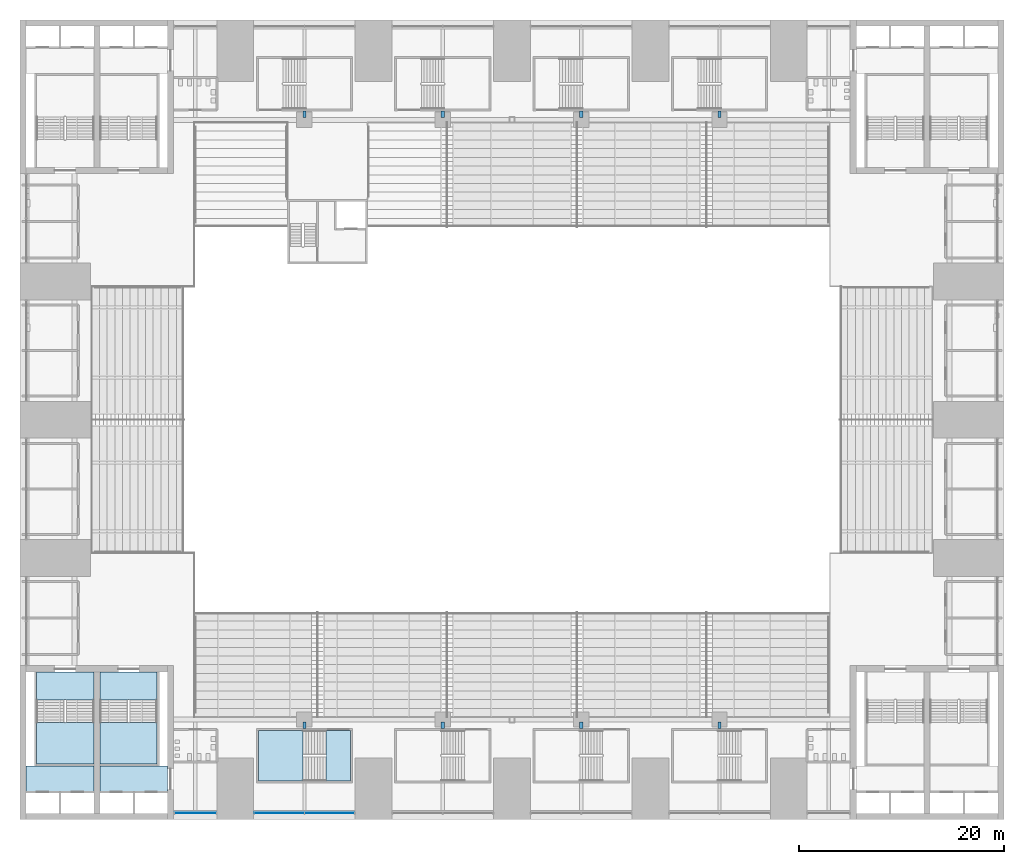
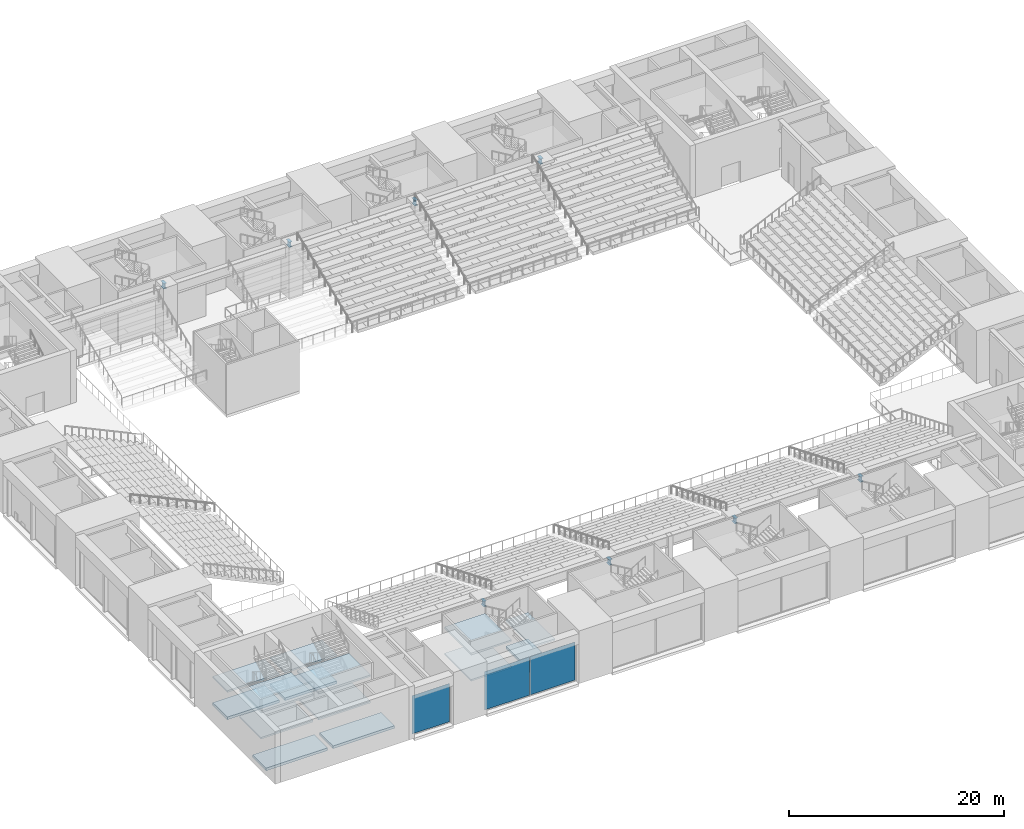
# One storey, part 12 of 61: 14 slabs, 8 beams, 3 plates, 5 elements without a shape of their own.
"""IFC4 building model written with IfcOpenShell, lengths in metres."""

from ifc_helpers import new_model, si_unit, direction, frame, origin, origin_2d, place, context, subcontext, project, spatial, polyline, rectangle, i_section, outline, extrude, material, layer, layer_set, material_profile, profile_set, type_object, element, aggregate, save


model = new_model("IFC4")

# Units and contexts
model_context = context("Model", 3, precision=1e-05, world=origin(), true_north=direction((0.0, 1.0)))
body_context = subcontext(model_context, "Body", "Model", "MODEL_VIEW")
ifc_project = project(units=[si_unit("LENGTHUNIT", "METRE"), si_unit("AREAUNIT", "SQUARE_METRE"), si_unit("VOLUMEUNIT", "CUBIC_METRE"), si_unit("PLANEANGLEUNIT", "RADIAN"), si_unit("MASSUNIT", "GRAM", prefix="KILO")], contexts=[model_context])

# Site, building, storey
site_placement = place(None, origin())
site = spatial("IfcSite", under=ifc_project, at=site_placement, CompositionType="ELEMENT")
building_placement = place(site_placement, origin())
building = spatial("IfcBuilding", under=site, at=building_placement, Name="Corbelhall Arena Tower", CompositionType="ELEMENT")
storey_placement = place(building_placement, frame((0.0, 0.0, 31.0)))
storey = spatial("IfcBuildingStorey", under=building, at=storey_placement, Name="L04", CompositionType="ELEMENT", Elevation=31.0)

# Beams
ifc_material_1 = material(Name="Steel ASTM A992 Gr50", Category="steel")
ifc_material_profile = material_profile(ifc_material_1, i_section(OverallWidth=0.323974609375, OverallDepth=0.611083984375, WebThickness=0.0126953125, FlangeThickness=0.01904296875, at=origin_2d()))
ifc_profile_set = profile_set([ifc_material_profile], Name="Steel ASTM A992 Gr50")
beam_type = type_object("IfcBeamType", Name="PO-BEAM-W24X104", PredefinedType="BEAM", material=ifc_profile_set)
for number, where, z_axis, x_axis, name in (
    (1, (-20.25, 29.5, 5.39453125), (0.0, 1.0, 0.0), (-1.0, 0.0, 0.0), "CONCOURSE BEAM"),
    (2, (-6.75, 29.5, 5.39453125), (0.0, 1.0, 0.0), (-1.0, 0.0, 0.0), "CONCOURSE BEAM"),
    (3, (6.75, 29.5, 5.39453125), (0.0, 1.0, 0.0), (-1.0, 0.0, 0.0), "CONCOURSE BEAM"),
    (4, (20.25, 29.5, 5.39453125), (0.0, 1.0, 0.0), (-1.0, 0.0, 0.0), "CONCOURSE BEAM"),
    (5, (-20.25, -29.5, 5.39453125), (0.0, -1.0, 0.0), (1.0, 0.0, 0.0), "CONCOURSE BEAM"),
    (6, (-6.75, -29.5, 5.39453125), (0.0, -1.0, 0.0), (1.0, 0.0, 0.0), "CONCOURSE BEAM"),
    (7, (6.75, -29.5, 5.39453125), (0.0, -1.0, 0.0), (1.0, 0.0, 0.0), "CONCOURSE BEAM"),
    (8, (20.25, -29.5, 5.39453125), (0.0, -1.0, 0.0), (1.0, 0.0, 0.0), "CONCOURSE BEAM"),
):
    element("IfcBeam", number, at=place(storey_placement, frame(where, z_axis=z_axis, x_axis=x_axis)), inside=storey, type_object=beam_type, Name=name, PredefinedType="BEAM", context=body_context, shape_type="SweptSolid", body=[
        extrude(i_section(OverallWidth=0.323974609375, OverallDepth=0.611083984375, WebThickness=0.0126953125, FlangeThickness=0.01904296875, at=origin_2d()), origin(), (0.0, 0.0, 1.0), 0.60009765625),
    ])

# Stair, slabs
ifc_material_2 = material(Name="Reinforced concrete C40/50", Category="concrete")
stair_type = type_object("IfcStairType", Name="AR-EXIT-STAIR", PredefinedType="HALF_TURN_STAIR", material=ifc_material_2)
stair_1_placement = place(storey_placement, origin())
stair_1 = element("IfcStair", 9, at=stair_1_placement, inside=storey, type_object=stair_type, Name="L04 exit stair AS13", PredefinedType="HALF_TURN_STAIR")
ifc_layer_1 = layer(ifc_material_2, 0.199951171875)
ifc_layer_set_1 = layer_set([ifc_layer_1], Name="AR-EXIT-LANDING")
slab_type_1 = type_object("IfcSlabType", Name="AR-EXIT-LANDING", PredefinedType="LANDING", material=ifc_layer_set_1)
slab_1_placement = place(storey_placement, frame((0.0, 0.0, 1.300048828125)))
slab_1 = element("IfcSlab", 10, at=slab_1_placement, type_object=slab_type_1, Name="AS13 landing 1", PredefinedType="LANDING", context=body_context, shape_type="SweptSolid", body=[
    extrude(outline(polyline([(-20.389892578125, -30.300048828125), (-24.75, -30.300048828125), (-24.75, -35.25), (-20.389892578125, -35.25), (-20.389892578125, -30.300048828125)])), origin(), (0.0, 0.0, 1.0), 0.199951171875),
])
slab_2_placement = place(storey_placement, frame((0.0, 0.0, 2.800048828125)))
slab_2 = element("IfcSlab", 11, at=slab_2_placement, type_object=slab_type_1, Name="AS13 landing 2", PredefinedType="LANDING", context=body_context, shape_type="SweptSolid", body=[
    extrude(outline(polyline([(-15.75, -30.300048828125), (-18.14990234375, -30.300048828125), (-18.14990234375, -35.25), (-15.75, -35.25), (-15.75, -30.300048828125)])), origin(), (0.0, 0.0, 1.0), 0.199951171875),
])
slab_3_placement = place(storey_placement, frame((0.0, 0.0, 4.300048828125)))
slab_3 = element("IfcSlab", 12, at=slab_3_placement, type_object=slab_type_1, Name="AS13 landing 3", PredefinedType="LANDING", context=body_context, shape_type="SweptSolid", body=[
    extrude(outline(polyline([(-20.389892578125, -30.300048828125), (-24.75, -30.300048828125), (-24.75, -35.25), (-20.389892578125, -35.25), (-20.389892578125, -30.300048828125)])), origin(), (0.0, 0.0, 1.0), 0.199951171875),
])
aggregate(stair_1, [slab_1, slab_2, slab_3])

stair_2_placement = place(storey_placement, origin())
stair_2 = element("IfcStair", 13, at=stair_2_placement, inside=storey, type_object=stair_type, Name="L04 exit stair AS7", PredefinedType="HALF_TURN_STAIR")
slab_4_placement = place(storey_placement, frame((0.0, 0.0, 1.300048828125)))
slab_4 = element("IfcSlab", 14, at=slab_4_placement, type_object=slab_type_1, Name="AS7 landing 1", PredefinedType="LANDING", context=body_context, shape_type="SweptSolid", body=[
    extrude(outline(polyline([(-40.199951171875, -29.56005859375), (-40.199951171875, -33.60009765625), (-34.610107421875, -33.60009765625), (-34.610107421875, -29.56005859375), (-40.199951171875, -29.56005859375)])), origin(), (0.0, 0.0, 1.0), 0.199951171875),
])
slab_5_placement = place(storey_placement, frame((0.0, 0.0, 2.800048828125)))
slab_5 = element("IfcSlab", 15, at=slab_5_placement, type_object=slab_type_1, Name="AS7 landing 2", PredefinedType="LANDING", context=body_context, shape_type="SweptSolid", body=[
    extrude(outline(polyline([(-40.199951171875, -24.60009765625), (-40.199951171875, -27.320068359375), (-34.610107421875, -27.320068359375), (-34.610107421875, -24.60009765625), (-40.199951171875, -24.60009765625)])), origin(), (0.0, 0.0, 1.0), 0.199951171875),
])
slab_6_placement = place(storey_placement, frame((0.0, 0.0, 4.300048828125)))
slab_6 = element("IfcSlab", 16, at=slab_6_placement, type_object=slab_type_1, Name="AS7 landing 3", PredefinedType="LANDING", context=body_context, shape_type="SweptSolid", body=[
    extrude(outline(polyline([(-40.199951171875, -29.56005859375), (-40.199951171875, -33.60009765625), (-34.610107421875, -33.60009765625), (-34.610107421875, -29.56005859375), (-40.199951171875, -29.56005859375)])), origin(), (0.0, 0.0, 1.0), 0.199951171875),
])
aggregate(stair_2, [slab_4, slab_5, slab_6])

stair_3_placement = place(storey_placement, origin())
stair_3 = element("IfcStair", 17, at=stair_3_placement, inside=storey, type_object=stair_type, Name="L04 exit stair AS8", PredefinedType="HALF_TURN_STAIR")
slab_7_placement = place(storey_placement, frame((0.0, 0.0, 1.300048828125)))
slab_7 = element("IfcSlab", 18, at=slab_7_placement, type_object=slab_type_1, Name="AS8 landing 1", PredefinedType="LANDING", context=body_context, shape_type="SweptSolid", body=[
    extrude(outline(polyline([(-46.389892578125, -29.56005859375), (-46.389892578125, -33.60009765625), (-40.800048828125, -33.60009765625), (-40.800048828125, -29.56005859375), (-46.389892578125, -29.56005859375)])), origin(), (0.0, 0.0, 1.0), 0.199951171875),
])
slab_8_placement = place(storey_placement, frame((0.0, 0.0, 2.800048828125)))
slab_8 = element("IfcSlab", 19, at=slab_8_placement, type_object=slab_type_1, Name="AS8 landing 2", PredefinedType="LANDING", context=body_context, shape_type="SweptSolid", body=[
    extrude(outline(polyline([(-46.389892578125, -24.60009765625), (-46.389892578125, -27.320068359375), (-40.800048828125, -27.320068359375), (-40.800048828125, -24.60009765625), (-46.389892578125, -24.60009765625)])), origin(), (0.0, 0.0, 1.0), 0.199951171875),
])
slab_9_placement = place(storey_placement, frame((0.0, 0.0, 4.300048828125)))
slab_9 = element("IfcSlab", 20, at=slab_9_placement, type_object=slab_type_1, Name="AS8 landing 3", PredefinedType="LANDING", context=body_context, shape_type="SweptSolid", body=[
    extrude(outline(polyline([(-46.389892578125, -29.56005859375), (-46.389892578125, -33.60009765625), (-40.800048828125, -33.60009765625), (-40.800048828125, -29.56005859375), (-46.389892578125, -29.56005859375)])), origin(), (0.0, 0.0, 1.0), 0.199951171875),
])
aggregate(stair_3, [slab_7, slab_8, slab_9])

# Slabs
ifc_layer_2 = layer(ifc_material_2, 0.300048828125)
ifc_layer_set_2 = layer_set([ifc_layer_2], Name="AR-STAIR-FLOOR")
slab_type_2 = type_object("IfcSlabType", Name="AR-STAIR-FLOOR", PredefinedType="FLOOR", material=ifc_layer_set_2)
slab_10_placement = place(storey_placement, frame((0.0, 0.0, -0.300048828125)))
element("IfcSlab", 21, at=slab_10_placement, inside=storey, type_object=slab_type_2, Name="Stair AS13 floor", PredefinedType="FLOOR", context=body_context, shape_type="SweptSolid", body=[
    extrude(outline(polyline([(-15.75, -30.300048828125), (-15.75, -35.25), (-18.153076171875, -35.25), (-18.153076171875, -30.300048828125), (-15.75, -30.300048828125)])), origin(), (0.0, 0.0, 1.0), 0.300048828125),
])
slab_11_placement = place(storey_placement, frame((0.0, 0.0, -0.300048828125)))
element("IfcSlab", 22, at=slab_11_placement, inside=storey, type_object=slab_type_2, Name="Stair AS7 floor", PredefinedType="FLOOR", context=body_context, shape_type="SweptSolid", body=[
    extrude(outline(polyline([(-40.199951171875, -24.60009765625), (-34.610107421875, -24.60009765625), (-34.610107421875, -27.322998046875), (-40.199951171875, -27.322998046875), (-40.199951171875, -24.60009765625)])), origin(), (0.0, 0.0, 1.0), 0.300048828125),
])
slab_12_placement = place(storey_placement, frame((0.0, 0.0, -0.300048828125)))
element("IfcSlab", 23, at=slab_12_placement, inside=storey, type_object=slab_type_2, Name="Stair AS8 floor", PredefinedType="FLOOR", context=body_context, shape_type="SweptSolid", body=[
    extrude(outline(polyline([(-46.389892578125, -24.60009765625), (-40.800048828125, -24.60009765625), (-40.800048828125, -27.322998046875), (-46.389892578125, -27.322998046875), (-46.389892578125, -24.60009765625)])), origin(), (0.0, 0.0, 1.0), 0.300048828125),
])
slab_13_placement = place(storey_placement, frame((0.0, 0.0, -0.300048828125)))
element("IfcSlab", 24, at=slab_13_placement, inside=storey, type_object=slab_type_2, Name="Lift lobby floor SW", PredefinedType="FLOOR", context=body_context, shape_type="SweptSolid", body=[
    extrude(outline(polyline([(-40.800048828125, -36.300048828125), (-40.800048828125, -33.800048828125), (-47.39990234375, -33.800048828125), (-47.39990234375, -36.300048828125), (-40.800048828125, -36.300048828125)])), origin(), (0.0, 0.0, 1.0), 0.300048828125),
])
slab_14_placement = place(storey_placement, frame((0.0, 0.0, -0.300048828125)))
element("IfcSlab", 25, at=slab_14_placement, inside=storey, type_object=slab_type_2, Name="Lift lobby floor SW", PredefinedType="FLOOR", context=body_context, shape_type="SweptSolid", body=[
    extrude(outline(polyline([(-33.60009765625, -36.300048828125), (-33.60009765625, -33.800048828125), (-40.199951171875, -33.800048828125), (-40.199951171875, -36.300048828125), (-33.60009765625, -36.300048828125)])), origin(), (0.0, 0.0, 1.0), 0.300048828125),
])

# Curtain wall, plate
ifc_material_3 = material(Name="Aluminium black anodised", Category="aluminium")
ifc_layer_3 = layer(ifc_material_3, 0.239990234375)
ifc_layer_set_3 = layer_set([ifc_layer_3], Name="EV-CW4 Arena concourse glazing")
curtain_wall_type = type_object("IfcCurtainWallType", Name="EV-CW4 Arena concourse glazing", PredefinedType="NOTDEFINED", material=ifc_layer_set_3)
curtain_wall_1_placement = place(storey_placement, origin())
curtain_wall_1 = element("IfcCurtainWall", 26, at=curtain_wall_1_placement, inside=storey, type_object=curtain_wall_type, Name="Curtain wall CW4A", PredefinedType="NOTDEFINED")
ifc_material_4 = material(Name="Glass dark tinted laminated", Category="glass")
ifc_layer_4 = layer(ifc_material_4, 0.028076171875)
ifc_layer_set_4 = layer_set([ifc_layer_4], Name="EV-CW4-PANEL")
plate_type = type_object("IfcPlateType", Name="EV-CW4-PANEL", PredefinedType="CURTAIN_PANEL", material=ifc_layer_set_4)
plate_1_placement = place(storey_placement, frame((-30.89990234375, -38.3798828125, 0.074951171875), z_axis=(0.0, 0.0, 1.0), x_axis=(1.0, 0.0, 0.0)))
plate_1 = element("IfcPlate", 27, at=plate_1_placement, type_object=plate_type, Name="CW4A panel 1.1", PredefinedType="CURTAIN_PANEL", context=body_context, shape_type="SweptSolid", body=[
    extrude(rectangle(XDim=4.050048828125, YDim=0.028076171875, at=origin_2d()), origin(), (0.0, 0.0, 1.0), 4.35009765625),
])
aggregate(curtain_wall_1, [plate_1])

# Curtain wall, plates
curtain_wall_2_placement = place(storey_placement, origin())
curtain_wall_2 = element("IfcCurtainWall", 28, at=curtain_wall_2_placement, inside=storey, type_object=curtain_wall_type, Name="Curtain wall CW4", PredefinedType="NOTDEFINED")
plate_2_placement = place(storey_placement, frame((-22.706298828125, -38.3798828125, 0.074951171875), z_axis=(0.0, 0.0, 1.0), x_axis=(1.0, 0.0, 0.0)))
plate_2 = element("IfcPlate", 29, at=plate_2_placement, type_object=plate_type, Name="CW4 panel 1.1", PredefinedType="CURTAIN_PANEL", context=body_context, shape_type="SweptSolid", body=[
    extrude(rectangle(XDim=4.83740234375, YDim=0.028076171875, at=origin_2d()), origin(), (0.0, 0.0, 1.0), 4.35009765625),
])
plate_3_placement = place(storey_placement, frame((-17.793701171875, -38.3798828125, 0.074951171875), z_axis=(0.0, 0.0, 1.0), x_axis=(1.0, 0.0, 0.0)))
plate_3 = element("IfcPlate", 30, at=plate_3_placement, type_object=plate_type, Name="CW4 panel 2.1", PredefinedType="CURTAIN_PANEL", context=body_context, shape_type="SweptSolid", body=[
    extrude(rectangle(XDim=4.83740234375, YDim=0.028076171875, at=origin_2d()), origin(), (0.0, 0.0, 1.0), 4.35009765625),
])
aggregate(curtain_wall_2, [plate_2, plate_3])

save(model, "model.ifc")
